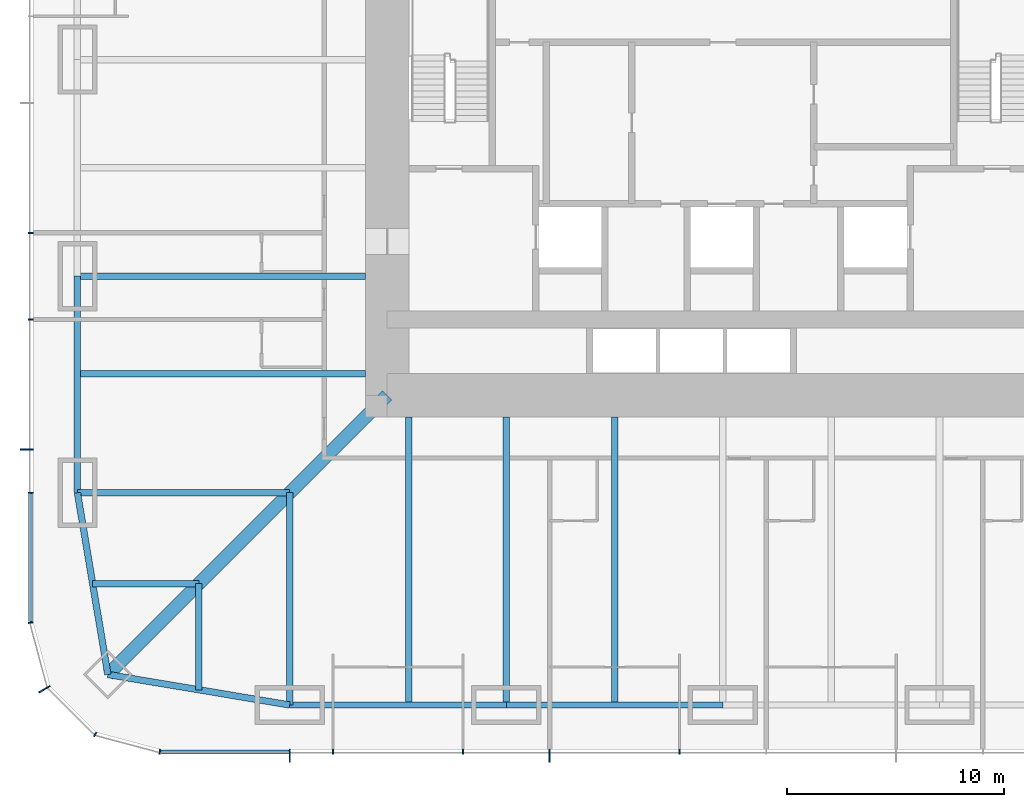
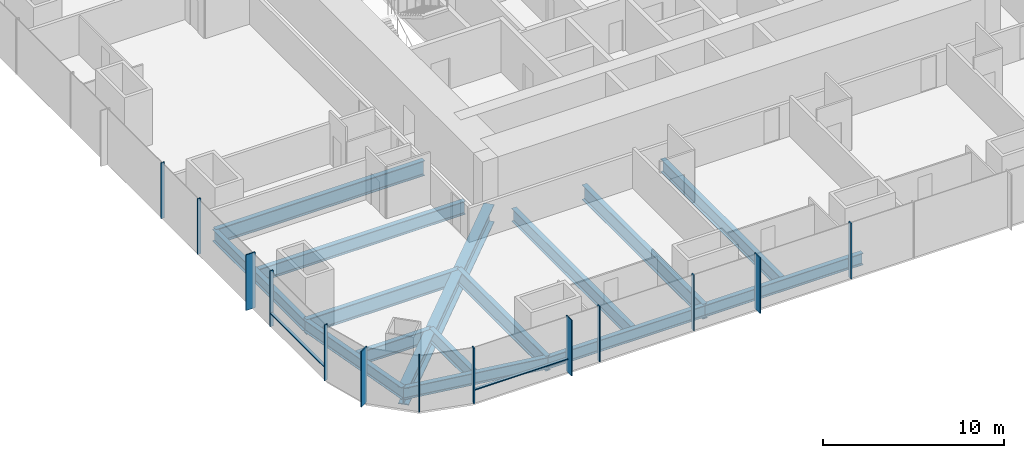
# One storey, part 2 of 20: 15 beams, 15 members, 3 elements without a shape of their own.
"""IFC4 building model written with IfcOpenShell, lengths in metres."""

from ifc_helpers import new_model, si_unit, direction, frame, origin, origin_2d, place, context, subcontext, project, spatial, rectangle, i_section, extrude, material, material_profile, profile_set, type_object, element, aggregate, save


model = new_model("IFC4")

# Units and contexts
model_context = context("Model", 3, precision=1e-05, world=origin(), true_north=direction((0.0, 1.0)))
body_context = subcontext(model_context, "Body", "Model", "MODEL_VIEW")
ifc_project = project(units=[si_unit("LENGTHUNIT", "METRE"), si_unit("AREAUNIT", "SQUARE_METRE"), si_unit("VOLUMEUNIT", "CUBIC_METRE"), si_unit("PLANEANGLEUNIT", "RADIAN"), si_unit("MASSUNIT", "GRAM", prefix="KILO")], contexts=[model_context])

# Site, building, storey
site_placement = place(None, origin())
site = spatial("IfcSite", under=ifc_project, at=site_placement, CompositionType="ELEMENT")
building_placement = place(site_placement, origin())
building = spatial("IfcBuilding", under=site, at=building_placement, Name="Khuree Lantern Residences", CompositionType="ELEMENT")
storey_placement = place(building_placement, frame((0.0, 0.0, 24.75)))
storey = spatial("IfcBuildingStorey", under=building, at=storey_placement, Name="L05", CompositionType="ELEMENT", Elevation=24.75)

# Beams
ifc_material_1 = material(Name="Steel S355", Category="steel")
ifc_material_profile_1 = material_profile(ifc_material_1, i_section(OverallWidth=0.300048828125, OverallDepth=0.889892578125, WebThickness=0.01611328125, FlangeThickness=0.030029296875, FilletRadius=0.030029296875, at=origin_2d()), Name="HE 900 A")
ifc_profile_set_1 = profile_set([ifc_material_profile_1], Name="Steel S355")
beam_type_1 = type_object("IfcBeamType", Name="B-11 SECONDARY BEAM HE 900 A", PredefinedType="BEAM", material=ifc_profile_set_1)
for number, where, z_axis, x_axis, name in (
    (1, (-5.0, -29.800048828125, -0.695068359375), (0.0, 1.0, 0.0), (-1.0, 0.0, 0.0), "Secondary beam S4"),
    (2, (-14.5, -29.800048828125, -0.695068359375), (0.0, 1.0, 0.0), (-1.0, 0.0, 0.0), "Secondary beam S5"),
):
    element("IfcBeam", number, at=place(storey_placement, frame(where, z_axis=z_axis, x_axis=x_axis)), inside=storey, type_object=beam_type_1, Name=name, PredefinedType="BEAM", context=body_context, shape_type="SweptSolid", body=[
        extrude(i_section(OverallWidth=0.300048828125, OverallDepth=0.889892578125, WebThickness=0.01611328125, FlangeThickness=0.030029296875, FilletRadius=0.030029296875, at=origin_2d()), origin(), (0.0, 0.0, 1.0), 13.300048828125),
    ])
for number, where, z_axis, x_axis, name in (
    (3, (-24.197021484375, -29.09716796875, -0.695068359375), (0.0, 1.0, 0.0), (-1.0, 0.0, 0.0), "Secondary beam S6"),
    (4, (-29.09716796875, -24.197021484375, -0.695068359375), (1.0, 0.0, 0.0), (0.0, 1.0, 0.0), "Secondary beam W1"),
):
    element("IfcBeam", number, at=place(storey_placement, frame(where, z_axis=z_axis, x_axis=x_axis)), inside=storey, type_object=beam_type_1, Name=name, PredefinedType="BEAM", context=body_context, shape_type="SweptSolid", body=[
        extrude(i_section(OverallWidth=0.300048828125, OverallDepth=0.889892578125, WebThickness=0.01611328125, FlangeThickness=0.030029296875, FilletRadius=0.030029296875, at=origin_2d()), origin(), (0.0, 0.0, 1.0), 4.900146484375),
    ])
beam_1_placement = place(storey_placement, frame((-29.800048828125, -14.5, -0.695068359375), z_axis=(1.0, 0.0, 0.0), x_axis=(0.0, 1.0, 0.0)))
element("IfcBeam", 5, at=beam_1_placement, inside=storey, type_object=beam_type_1, Name="Secondary beam W2", PredefinedType="BEAM", context=body_context, shape_type="SweptSolid", body=[
    extrude(i_section(OverallWidth=0.300048828125, OverallDepth=0.889892578125, WebThickness=0.01611328125, FlangeThickness=0.030029296875, FilletRadius=0.030029296875, at=origin_2d()), origin(), (0.0, 0.0, 1.0), 13.300048828125),
])
ifc_material_profile_2 = material_profile(ifc_material_1, i_section(OverallWidth=0.300048828125, OverallDepth=0.7900390625, WebThickness=0.014892578125, FlangeThickness=0.028076171875, FilletRadius=0.030029296875, at=origin_2d()), Name="HE 800 A")
ifc_profile_set_2 = profile_set([ifc_material_profile_2], Name="Steel S355")
beam_type_2 = type_object("IfcBeamType", Name="E-11 SPANDREL BEAM HE 800 A", PredefinedType="SPANDREL", material=ifc_profile_set_2)
for number, where, z_axis, x_axis, name in (
    (6, (0.0, -29.800048828125, -0.64501953125), (-1.0, 0.0, 0.0), (0.0, -1.0, 0.0), "Spandrel beam S4"),
    (7, (-10.0, -29.800048828125, -0.64501953125), (-1.0, 0.0, 0.0), (0.0, -1.0, 0.0), "Spandrel beam S5"),
):
    element("IfcBeam", number, at=place(storey_placement, frame(where, z_axis=z_axis, x_axis=x_axis)), inside=storey, type_object=beam_type_2, Name=name, PredefinedType="SPANDREL", context=body_context, shape_type="SweptSolid", body=[
        extrude(i_section(OverallWidth=0.300048828125, OverallDepth=0.7900390625, WebThickness=0.014892578125, FlangeThickness=0.028076171875, FilletRadius=0.030029296875, at=origin_2d()), origin(), (0.0, 0.0, 1.0), 10.0),
    ])
for number, where, z_axis, x_axis, name in (
    (8, (-20.0, -29.800048828125, -0.64501953125), (-0.986260251158, 0.165199022349, 0.0), (-0.165199022349, -0.986260251158, 0.0), "Spandrel beam S6"),
    (9, (-28.39404296875, -28.39404296875, -0.64501953125), (-0.165199022349, 0.986260251158, 0.0), (-0.986260251158, -0.165199022349, 0.0), "Spandrel beam W1"),
):
    element("IfcBeam", number, at=place(storey_placement, frame(where, z_axis=z_axis, x_axis=x_axis)), inside=storey, type_object=beam_type_2, Name=name, PredefinedType="SPANDREL", context=body_context, shape_type="SweptSolid", body=[
        extrude(i_section(OverallWidth=0.300048828125, OverallDepth=0.7900390625, WebThickness=0.014892578125, FlangeThickness=0.028076171875, FilletRadius=0.030029296875, at=origin_2d()), origin(), (0.0, 0.0, 1.0), 8.510986328125),
    ])
beam_2_placement = place(storey_placement, frame((-29.800048828125, -20.0, -0.64501953125), z_axis=(0.0, 1.0, 0.0), x_axis=(-1.0, 0.0, 0.0)))
element("IfcBeam", 10, at=beam_2_placement, inside=storey, type_object=beam_type_2, Name="Spandrel beam W2", PredefinedType="SPANDREL", context=body_context, shape_type="SweptSolid", body=[
    extrude(i_section(OverallWidth=0.300048828125, OverallDepth=0.7900390625, WebThickness=0.014892578125, FlangeThickness=0.028076171875, FilletRadius=0.030029296875, at=origin_2d()), origin(), (0.0, 0.0, 1.0), 10.0),
])

# Curtain wall, member
ifc_material_2 = material(Name="Bronze anodised aluminium", Category="aluminium")
curtain_wall_type_1 = type_object("IfcCurtainWallType", Name="CW-T1 TOWER FACE CURTAIN WALL", PredefinedType="USERDEFINED", material=ifc_material_2)
curtain_wall_1_placement = place(storey_placement, origin())
curtain_wall_1 = element("IfcCurtainWall", 11, at=curtain_wall_1_placement, inside=storey, type_object=curtain_wall_type_1, Name="L05 WEST FACE CURTAIN WALL", ObjectType="Stick-built curtain wall", PredefinedType="USERDEFINED")
ifc_material_profile_3 = material_profile(ifc_material_2, rectangle(XDim=0.06494140625, YDim=0.60009765625, at=origin_2d()), Name="F1 65X600")
ifc_profile_set_3 = profile_set([ifc_material_profile_3], Name="Bronze anodised aluminium")
member_type_1 = type_object("IfcMemberType", Name="F1 BRONZE FIN MULLION TOWER 65X600", PredefinedType="MULLION", material=ifc_profile_set_3)
member_1_placement = place(storey_placement, frame((-32.14990234375, -18.0, 0.0), z_axis=(0.0, 0.0, 1.0), x_axis=(0.0, -1.0, 0.0)))
member_1 = element("IfcMember", 12, at=member_1_placement, type_object=member_type_1, Name="L05 WEST FACE FIN MULLION 41", PredefinedType="MULLION", context=body_context, shape_type="SweptSolid", body=[
    extrude(rectangle(XDim=0.06494140625, YDim=0.60009765625, at=origin_2d()), origin(), (0.0, 0.0, 1.0), 3.75),
])

curtain_wall_type_2 = type_object("IfcCurtainWallType", Name="CW-T2 TOWER CORNER CURTAIN WALL", PredefinedType="USERDEFINED", material=ifc_material_2)
curtain_wall_2_placement = place(storey_placement, origin())
curtain_wall_2 = element("IfcCurtainWall", 13, at=curtain_wall_2_placement, inside=storey, type_object=curtain_wall_type_2, Name="L05 SOUTH-WEST CORNER CURTAIN WALL", ObjectType="Faceted corner curtain wall", PredefinedType="USERDEFINED")
member_2_placement = place(storey_placement, frame((-31.326171875, -29.074951171875, 0.0), z_axis=(0.0, 0.0, 1.0), x_axis=(0.500000056923, -0.86602537092, 0.0)))
member_2 = element("IfcMember", 14, at=member_2_placement, type_object=member_type_1, Name="L05 SOUTH-WEST CORNER FIN MULLION 44", PredefinedType="MULLION", context=body_context, shape_type="SweptSolid", body=[
    extrude(rectangle(XDim=0.06494140625, YDim=0.60009765625, at=origin_2d()), origin(), (0.0, 0.0, 1.0), 3.75),
])

# Curtain wall, members
curtain_wall_3_placement = place(storey_placement, origin())
curtain_wall_3 = element("IfcCurtainWall", 15, at=curtain_wall_3_placement, inside=storey, type_object=curtain_wall_type_1, Name="L05 SOUTH FACE CURTAIN WALL", ObjectType="Stick-built curtain wall", PredefinedType="USERDEFINED")
member_3_placement = place(storey_placement, frame((-20.0, -32.14990234375, 0.0), z_axis=(0.0, 0.0, 1.0), x_axis=(1.0, 0.0, 0.0)))
member_3 = element("IfcMember", 16, at=member_3_placement, type_object=member_type_1, Name="L05 SOUTH FACE FIN MULLION 47", PredefinedType="MULLION", context=body_context, shape_type="SweptSolid", body=[
    extrude(rectangle(XDim=0.06494140625, YDim=0.60009765625, at=origin_2d()), origin(), (0.0, 0.0, 1.0), 3.75),
])
member_4_placement = place(storey_placement, frame((-8.0, -32.14990234375, 0.0), z_axis=(0.0, 0.0, 1.0), x_axis=(1.0, 0.0, 0.0)))
member_4 = element("IfcMember", 17, at=member_4_placement, type_object=member_type_1, Name="L05 SOUTH FACE FIN MULLION 50", PredefinedType="MULLION", context=body_context, shape_type="SweptSolid", body=[
    extrude(rectangle(XDim=0.06494140625, YDim=0.60009765625, at=origin_2d()), origin(), (0.0, 0.0, 1.0), 3.75),
])

# Beams
ifc_material_profile_4 = material_profile(ifc_material_1, i_section(OverallWidth=0.302001953125, OverallDepth=1.008056640625, WebThickness=0.02099609375, FlangeThickness=0.0400390625, FilletRadius=0.030029296875, at=origin_2d()), Name="HE 1000 M")
ifc_profile_set_4 = profile_set([ifc_material_profile_4], Name="Steel S355")
beam_type_3 = type_object("IfcBeamType", Name="G-11 GIRDER HE 1000 M", PredefinedType="BEAM", material=ifc_profile_set_4)
beam_3_placement = place(storey_placement, frame((-10.0, -29.800048828125, -0.75390625), z_axis=(0.0, 1.0, 0.0), x_axis=(-1.0, 0.0, 0.0)))
element("IfcBeam", 18, at=beam_3_placement, inside=storey, type_object=beam_type_3, Name="Girder S4", PredefinedType="BEAM", context=body_context, shape_type="SweptSolid", body=[
    extrude(i_section(OverallWidth=0.302001953125, OverallDepth=1.008056640625, WebThickness=0.02099609375, FlangeThickness=0.0400390625, FilletRadius=0.030029296875, at=origin_2d()), origin(), (0.0, 0.0, 1.0), 13.300048828125),
])
for number, where, z_axis, x_axis, name in (
    (19, (-20.0, -29.800048828125, -0.75390625), (0.0, 1.0, 0.0), (-1.0, 0.0, 0.0), "Girder S5"),
    (20, (-29.800048828125, -20.0, -0.75390625), (1.0, 0.0, 0.0), (0.0, 1.0, 0.0), "Girder W1"),
):
    element("IfcBeam", number, at=place(storey_placement, frame(where, z_axis=z_axis, x_axis=x_axis)), inside=storey, type_object=beam_type_3, Name=name, PredefinedType="BEAM", context=body_context, shape_type="SweptSolid", body=[
        extrude(i_section(OverallWidth=0.302001953125, OverallDepth=1.008056640625, WebThickness=0.02099609375, FlangeThickness=0.0400390625, FilletRadius=0.030029296875, at=origin_2d()), origin(), (0.0, 0.0, 1.0), 9.800048828125),
    ])
beam_4_placement = place(storey_placement, frame((-29.800048828125, -10.0, -0.75390625), z_axis=(1.0, 0.0, 0.0), x_axis=(0.0, 1.0, 0.0)))
element("IfcBeam", 21, at=beam_4_placement, inside=storey, type_object=beam_type_3, Name="Girder W2", PredefinedType="BEAM", context=body_context, shape_type="SweptSolid", body=[
    extrude(i_section(OverallWidth=0.302001953125, OverallDepth=1.008056640625, WebThickness=0.02099609375, FlangeThickness=0.0400390625, FilletRadius=0.030029296875, at=origin_2d()), origin(), (0.0, 0.0, 1.0), 13.300048828125),
])
ifc_material_profile_5 = material_profile(ifc_material_1, i_section(OverallWidth=0.60009765625, OverallDepth=1.199951171875, WebThickness=0.030029296875, FlangeThickness=0.06005859375, at=origin_2d()), Name="WELDED I 1200X600X30X60")
ifc_profile_set_5 = profile_set([ifc_material_profile_5], Name="Steel S355")
beam_type_4 = type_object("IfcBeamType", Name="GD-11 CORNER GIRDER WELDED I 1200X600X30X60", PredefinedType="BEAM", material=ifc_profile_set_5)
beam_5_placement = place(storey_placement, frame((-28.39404296875, -28.39404296875, -0.85009765625), z_axis=(0.707106781187, 0.707106781187, 0.0), x_axis=(-0.707106781187, 0.707106781187, 0.0)))
element("IfcBeam", 22, at=beam_5_placement, inside=storey, type_object=beam_type_4, Name="Corner girder SW", PredefinedType="BEAM", context=body_context, shape_type="SweptSolid", body=[
    extrude(i_section(OverallWidth=0.60009765625, OverallDepth=1.199951171875, WebThickness=0.030029296875, FlangeThickness=0.06005859375, at=origin_2d()), origin(), (0.0, 0.0, 1.0), 18.23486328125),
])

# Member
ifc_material_profile_6 = material_profile(ifc_material_2, rectangle(XDim=0.06494140625, YDim=0.219970703125, at=origin_2d()), Name="M1 65X220")
ifc_profile_set_6 = profile_set([ifc_material_profile_6], Name="Bronze anodised aluminium")
member_type_2 = type_object("IfcMemberType", Name="M1 BRONZE MULLION TOWER 65X220", PredefinedType="MULLION", material=ifc_profile_set_6)
member_5_placement = place(storey_placement, frame((-31.9599609375, -8.0, 0.0), z_axis=(0.0, 0.0, 1.0), x_axis=(0.0, -1.0, 0.0)))
member_5 = element("IfcMember", 23, at=member_5_placement, type_object=member_type_2, Name="L05 WEST FACE MULLION 39", PredefinedType="MULLION", context=body_context, shape_type="SweptSolid", body=[
    extrude(rectangle(XDim=0.06494140625, YDim=0.219970703125, at=origin_2d()), origin(), (0.0, 0.0, 1.0), 3.75),
])

member_6_placement = place(storey_placement, frame((-31.9599609375, -12.0, 0.0), z_axis=(0.0, 0.0, 1.0), x_axis=(0.0, -1.0, 0.0)))
member_6 = element("IfcMember", 24, at=member_6_placement, type_object=member_type_2, Name="L05 WEST FACE MULLION 40", PredefinedType="MULLION", context=body_context, shape_type="SweptSolid", body=[
    extrude(rectangle(XDim=0.06494140625, YDim=0.219970703125, at=origin_2d()), origin(), (0.0, 0.0, 1.0), 3.75),
])

member_7_placement = place(storey_placement, frame((-31.9599609375, -20.0, 0.0), z_axis=(0.0, 0.0, 1.0), x_axis=(0.0, -1.0, 0.0)))
member_7 = element("IfcMember", 25, at=member_7_placement, type_object=member_type_2, Name="L05 WEST FACE MULLION 42", PredefinedType="MULLION", context=body_context, shape_type="SweptSolid", body=[
    extrude(rectangle(XDim=0.06494140625, YDim=0.219970703125, at=origin_2d()), origin(), (0.0, 0.0, 1.0), 3.75),
])

member_8_placement = place(storey_placement, frame((-31.961669921875, -25.994873046875, 0.0), z_axis=(0.0, 0.0, 1.0), x_axis=(0.130526257387, -0.991444852794, 0.0)))
member_8 = element("IfcMember", 26, at=member_8_placement, type_object=member_type_2, Name="L05 SOUTH-WEST CORNER MULLION 43", PredefinedType="MULLION", context=body_context, shape_type="SweptSolid", body=[
    extrude(rectangle(XDim=0.06494140625, YDim=0.219970703125, at=origin_2d()), origin(), (0.0, 0.0, 1.0), 3.75),
])

member_9_placement = place(storey_placement, frame((-28.97998046875, -31.16162109375, 0.0), z_axis=(0.0, 0.0, 1.0), x_axis=(0.86602537092, -0.500000056923, 0.0)))
member_9 = element("IfcMember", 27, at=member_9_placement, type_object=member_type_2, Name="L05 SOUTH-WEST CORNER MULLION 45", PredefinedType="MULLION", context=body_context, shape_type="SweptSolid", body=[
    extrude(rectangle(XDim=0.06494140625, YDim=0.219970703125, at=origin_2d()), origin(), (0.0, 0.0, 1.0), 3.75),
])

aggregate(curtain_wall_2, [member_8, member_2, member_9])

member_10_placement = place(storey_placement, frame((-25.994873046875, -31.961669921875, 0.0), z_axis=(0.0, 0.0, 1.0), x_axis=(0.991444852794, -0.130526257387, 0.0)))
member_10 = element("IfcMember", 28, at=member_10_placement, type_object=member_type_2, Name="L05 SOUTH FACE MULLION 46", PredefinedType="MULLION", context=body_context, shape_type="SweptSolid", body=[
    extrude(rectangle(XDim=0.06494140625, YDim=0.219970703125, at=origin_2d()), origin(), (0.0, 0.0, 1.0), 3.75),
])

member_11_placement = place(storey_placement, frame((-18.0, -31.9599609375, 0.0), z_axis=(0.0, 0.0, 1.0), x_axis=(1.0, 0.0, 0.0)))
member_11 = element("IfcMember", 29, at=member_11_placement, type_object=member_type_2, Name="L05 SOUTH FACE MULLION 48", PredefinedType="MULLION", context=body_context, shape_type="SweptSolid", body=[
    extrude(rectangle(XDim=0.06494140625, YDim=0.219970703125, at=origin_2d()), origin(), (0.0, 0.0, 1.0), 3.75),
])

member_12_placement = place(storey_placement, frame((-12.0, -31.9599609375, 0.0), z_axis=(0.0, 0.0, 1.0), x_axis=(1.0, 0.0, 0.0)))
member_12 = element("IfcMember", 30, at=member_12_placement, type_object=member_type_2, Name="L05 SOUTH FACE MULLION 49", PredefinedType="MULLION", context=body_context, shape_type="SweptSolid", body=[
    extrude(rectangle(XDim=0.06494140625, YDim=0.219970703125, at=origin_2d()), origin(), (0.0, 0.0, 1.0), 3.75),
])

member_13_placement = place(storey_placement, frame((-2.0, -31.9599609375, 0.0), z_axis=(0.0, 0.0, 1.0), x_axis=(1.0, 0.0, 0.0)))
member_13 = element("IfcMember", 31, at=member_13_placement, type_object=member_type_2, Name="L05 SOUTH FACE MULLION 51", PredefinedType="MULLION", context=body_context, shape_type="SweptSolid", body=[
    extrude(rectangle(XDim=0.06494140625, YDim=0.219970703125, at=origin_2d()), origin(), (0.0, 0.0, 1.0), 3.75),
])

ifc_material_profile_7 = material_profile(ifc_material_2, rectangle(XDim=0.179931640625, YDim=0.06494140625, at=origin_2d()), Name="T1 180X65")
ifc_profile_set_7 = profile_set([ifc_material_profile_7], Name="Bronze anodised aluminium")
member_type_3 = type_object("IfcMemberType", Name="TRANSOM T1 TOWER 180X65", PredefinedType="USERDEFINED", material=ifc_profile_set_7)
member_14_placement = place(storey_placement, frame((-31.969970703125, -20.032470703125, 0.89990234375), z_axis=(0.0, -1.0, 0.0), x_axis=(1.0, 0.0, 0.0)))
member_14 = element("IfcMember", 32, at=member_14_placement, type_object=member_type_3, Name="L05 WEST FACE TRANSOM 42.1", ObjectType="Transom", PredefinedType="USERDEFINED", context=body_context, shape_type="SweptSolid", body=[
    extrude(rectangle(XDim=0.179931640625, YDim=0.06494140625, at=origin_2d()), origin(), (0.0, 0.0, 1.0), 5.9189453125),
])

aggregate(curtain_wall_1, [member_5, member_6, member_1, member_7, member_14])

member_15_placement = place(storey_placement, frame((-25.951416015625, -31.969970703125, 0.89990234375), z_axis=(1.0, 0.0, 0.0), x_axis=(0.0, 1.0, 0.0)))
member_15 = element("IfcMember", 33, at=member_15_placement, type_object=member_type_3, Name="L05 SOUTH FACE TRANSOM 46.1", ObjectType="Transom", PredefinedType="USERDEFINED", context=body_context, shape_type="SweptSolid", body=[
    extrude(rectangle(XDim=0.179931640625, YDim=0.06494140625, at=origin_2d()), origin(), (0.0, 0.0, 1.0), 5.9189453125),
])

aggregate(curtain_wall_3, [member_10, member_3, member_11, member_12, member_4, member_13, member_15])

save(model, "model.ifc")
